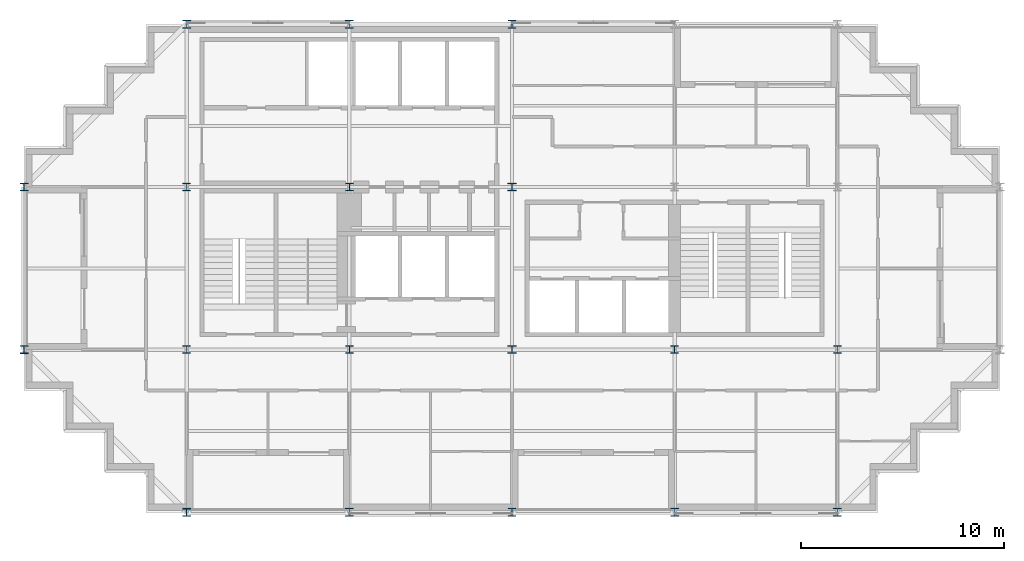
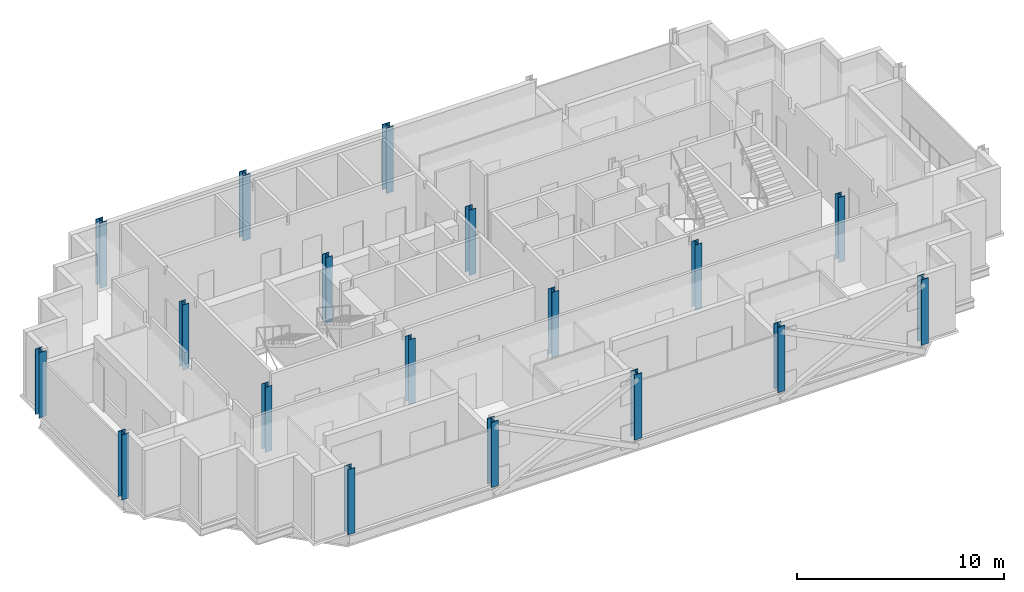
# One storey, part 1 of 9: 18 columns.
"""IFC4 building model written with IfcOpenShell, lengths in metres."""

from ifc_helpers import new_model, si_unit, direction, frame, origin, origin_2d, place, context, subcontext, project, spatial, i_section, extrude, material, material_profile, profile_set, type_object, element, save


model = new_model("IFC4")

# Units and contexts
model_context = context("Model", 3, precision=1e-05, world=origin(), true_north=direction((0.0, 1.0)))
body_context = subcontext(model_context, "Body", "Model", "MODEL_VIEW")
ifc_project = project(units=[si_unit("LENGTHUNIT", "METRE"), si_unit("AREAUNIT", "SQUARE_METRE"), si_unit("VOLUMEUNIT", "CUBIC_METRE"), si_unit("PLANEANGLEUNIT", "RADIAN"), si_unit("MASSUNIT", "GRAM", prefix="KILO")], contexts=[model_context])

# Site, building, storey
site_placement = place(None, origin())
site = spatial("IfcSite", under=ifc_project, at=site_placement, CompositionType="ELEMENT")
building_placement = place(site_placement, origin())
building = spatial("IfcBuilding", under=site, at=building_placement, Name="Immortelle Media Tower", CompositionType="ELEMENT")
storey_placement = place(building_placement, frame((0.0, 0.0, 225.0)))
storey = spatial("IfcBuildingStorey", under=building, at=storey_placement, Name="L48", CompositionType="ELEMENT", Elevation=225.0)

# Columns
ifc_material = material(Name="Steel ASTM A992 Gr 50", Category="steel")
ifc_material_profile_1 = material_profile(ifc_material, i_section(OverallWidth=0.373046875, OverallDepth=0.367919921875, WebThickness=0.014892578125, FlangeThickness=0.02392578125, at=origin_2d()), Name="W14x120")
ifc_profile_set_1 = profile_set([ifc_material_profile_1], Name="Steel ASTM A992 Gr 50")
column_type_1 = type_object("IfcColumnType", Name="W14x120 column", PredefinedType="COLUMN", material=ifc_profile_set_1)
for number, where, z_axis, x_axis, name in (
    (1, (8.0, 8.0, 0.0), (0.0, 0.0, 1.0), (1.0, 0.0, 0.0), "Column 2/B"),
    (2, (8.0, 16.0, 0.0), (0.0, 0.0, 1.0), (1.0, 0.0, 0.0), "Column 2/C"),
    (3, (16.0, 8.0, 0.0), (0.0, 0.0, 1.0), (1.0, 0.0, 0.0), "Column 3/B"),
    (4, (16.0, 16.0, 0.0), (0.0, 0.0, 1.0), (1.0, 0.0, 0.0), "Column 3/C"),
    (5, (32.0, 8.0, 0.0), (0.0, 0.0, 1.0), (1.0, 0.0, 0.0), "Column 5/B"),
    (6, (40.0, 8.0, 0.0), (0.0, 0.0, 1.0), (1.0, 0.0, 0.0), "Column 6/B"),
):
    element("IfcColumn", number, at=place(storey_placement, frame(where, z_axis=z_axis, x_axis=x_axis)), inside=storey, type_object=column_type_1, Name=name, PredefinedType="COLUMN", context=body_context, shape_type="SweptSolid", body=[
        extrude(i_section(OverallWidth=0.373046875, OverallDepth=0.367919921875, WebThickness=0.014892578125, FlangeThickness=0.02392578125, at=origin_2d()), origin(), (0.0, 0.0, 1.0), 3.85009765625),
    ])
ifc_material_profile_2 = material_profile(ifc_material, i_section(OverallWidth=0.39404296875, OverallDepth=0.3759765625, WebThickness=0.01708984375, FlangeThickness=0.028076171875, at=origin_2d()), Name="W14x145")
ifc_profile_set_2 = profile_set([ifc_material_profile_2], Name="Steel ASTM A992 Gr 50")
column_type_2 = type_object("IfcColumnType", Name="W14x145 column", PredefinedType="COLUMN", material=ifc_profile_set_2)
for number, where, z_axis, x_axis, name in (
    (7, (24.0, 8.0, 0.0), (0.0, 0.0, 1.0), (1.0, 0.0, 0.0), "Column 4/B"),
    (8, (24.0, 16.0, 0.0), (0.0, 0.0, 1.0), (1.0, 0.0, 0.0), "Column 4/C"),
):
    element("IfcColumn", number, at=place(storey_placement, frame(where, z_axis=z_axis, x_axis=x_axis)), inside=storey, type_object=column_type_2, Name=name, PredefinedType="COLUMN", context=body_context, shape_type="SweptSolid", body=[
        extrude(i_section(OverallWidth=0.39404296875, OverallDepth=0.3759765625, WebThickness=0.01708984375, FlangeThickness=0.028076171875, at=origin_2d()), origin(), (0.0, 0.0, 1.0), 3.85009765625),
    ])
ifc_material_profile_3 = material_profile(ifc_material, i_section(OverallWidth=0.39892578125, OverallDepth=0.385986328125, WebThickness=0.02099609375, FlangeThickness=0.032958984375, at=origin_2d()), Name="W14x176")
ifc_profile_set_3 = profile_set([ifc_material_profile_3], Name="Steel ASTM A992 Gr 50")
column_type_3 = type_object("IfcColumnType", Name="W14x176 column", PredefinedType="COLUMN", material=ifc_profile_set_3)
for number, where, z_axis, x_axis, name in (
    (9, (0.0, 8.0, 0.0), (0.0, 0.0, 1.0), (1.0, 0.0, 0.0), "Column 1/B"),
    (10, (0.0, 16.0, 0.0), (0.0, 0.0, 1.0), (1.0, 0.0, 0.0), "Column 1/C"),
    (11, (8.0, 0.0, 0.0), (0.0, 0.0, 1.0), (1.0, 0.0, 0.0), "Column 2/A"),
):
    element("IfcColumn", number, at=place(storey_placement, frame(where, z_axis=z_axis, x_axis=x_axis)), inside=storey, type_object=column_type_3, Name=name, PredefinedType="COLUMN", context=body_context, shape_type="SweptSolid", body=[
        extrude(i_section(OverallWidth=0.39892578125, OverallDepth=0.385986328125, WebThickness=0.02099609375, FlangeThickness=0.032958984375, at=origin_2d()), origin(), (0.0, 0.0, 1.0), 3.85009765625),
    ])
ifc_material_profile_4 = material_profile(ifc_material, i_section(OverallWidth=0.406005859375, OverallDepth=0.4169921875, WebThickness=0.030029296875, FlangeThickness=0.048095703125, at=origin_2d()), Name="W14x257")
ifc_profile_set_4 = profile_set([ifc_material_profile_4], Name="Steel ASTM A992 Gr 50")
column_type_4 = type_object("IfcColumnType", Name="W14x257 column", PredefinedType="COLUMN", material=ifc_profile_set_4)
for number, where, z_axis, x_axis, name in (
    (12, (8.0, 24.0, 0.0), (0.0, 0.0, 1.0), (1.0, 0.0, 0.0), "Column 2/D"),
    (13, (16.0, 0.0, 0.0), (0.0, 0.0, 1.0), (1.0, 0.0, 0.0), "Column 3/A"),
    (14, (16.0, 24.0, 0.0), (0.0, 0.0, 1.0), (1.0, 0.0, 0.0), "Column 3/D"),
    (15, (24.0, 0.0, 0.0), (0.0, 0.0, 1.0), (1.0, 0.0, 0.0), "Column 4/A"),
    (16, (24.0, 24.0, 0.0), (0.0, 0.0, 1.0), (1.0, 0.0, 0.0), "Column 4/D"),
    (17, (32.0, 0.0, 0.0), (0.0, 0.0, 1.0), (1.0, 0.0, 0.0), "Column 5/A"),
    (18, (40.0, 0.0, 0.0), (0.0, 0.0, 1.0), (1.0, 0.0, 0.0), "Column 6/A"),
):
    element("IfcColumn", number, at=place(storey_placement, frame(where, z_axis=z_axis, x_axis=x_axis)), inside=storey, type_object=column_type_4, Name=name, PredefinedType="COLUMN", context=body_context, shape_type="SweptSolid", body=[
        extrude(i_section(OverallWidth=0.406005859375, OverallDepth=0.4169921875, WebThickness=0.030029296875, FlangeThickness=0.048095703125, at=origin_2d()), origin(), (0.0, 0.0, 1.0), 3.85009765625),
    ])

save(model, "model.ifc")
